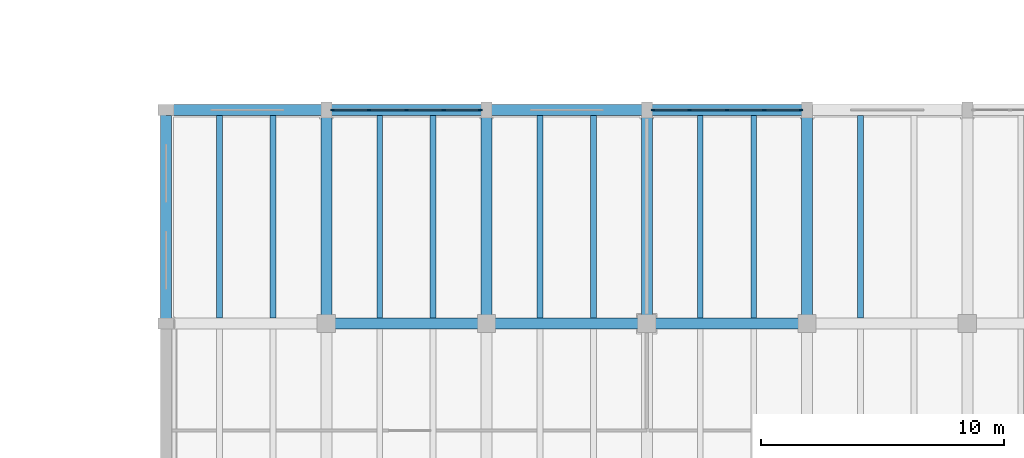
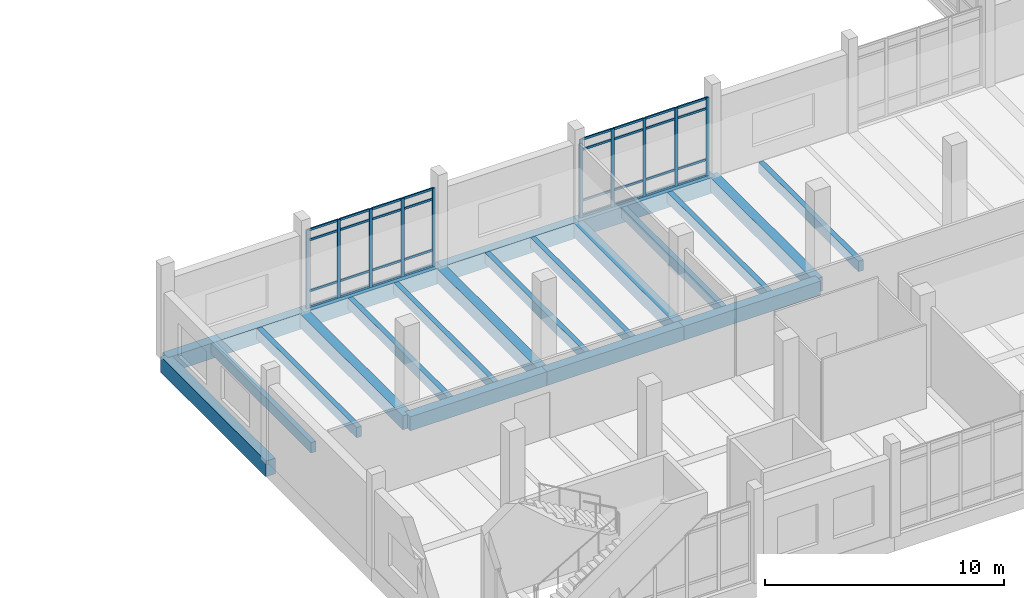
# One storey, part 23 of 125: 42 members, 21 beams, 2 elements without a shape of their own.
"""IFC4 building model written with IfcOpenShell, lengths in metres."""

from ifc_helpers import new_model, si_unit, direction, frame, origin, origin_2d, place, context, subcontext, project, spatial, rectangle, extrude, material, material_profile, profile_set, type_object, element, aggregate, save


model = new_model("IFC4")

# Units and contexts
model_context = context("Model", 3, precision=1e-05, world=origin(), true_north=direction((0.0, 1.0)))
body_context = subcontext(model_context, "Body", "Model", "MODEL_VIEW")
ifc_project = project(units=[si_unit("LENGTHUNIT", "METRE"), si_unit("AREAUNIT", "SQUARE_METRE"), si_unit("VOLUMEUNIT", "CUBIC_METRE"), si_unit("PLANEANGLEUNIT", "RADIAN"), si_unit("MASSUNIT", "GRAM", prefix="KILO")], contexts=[model_context])

# Site, building, storey
site_placement = place(None, origin())
site = spatial("IfcSite", under=ifc_project, at=site_placement, CompositionType="ELEMENT")
building_placement = place(site_placement, origin())
building = spatial("IfcBuilding", under=site, at=building_placement, Name="Dornvale Research Institute", CompositionType="ELEMENT")
storey_placement = place(building_placement, frame((0.0, 0.0, 5.39990234375)))
storey = spatial("IfcBuildingStorey", under=building, at=storey_placement, Name="L01", CompositionType="ELEMENT", Elevation=5.39990234375)

# Beams
ifc_material_1 = material(Name="Concrete f'c 45 MPa (C35/45)", Category="concrete")
ifc_material_profile_1 = material_profile(ifc_material_1, rectangle(XDim=0.449951171875, YDim=0.715087890625, at=origin_2d()), Name="RC 450x715")
ifc_profile_set_1 = profile_set([ifc_material_profile_1], Name="Concrete f'c 45 MPa (C35/45)")
beam_type_1 = type_object("IfcBeamType", Name="Beam_RC450x715_Lab", PredefinedType="BEAM", material=ifc_profile_set_1)
beam_1_placement = place(storey_placement, frame((105.60009765625, 17.60009765625, -0.357421875), z_axis=(1.0, 0.0, 0.0), x_axis=(0.0, 1.0, 0.0)))
element("IfcBeam", 1, at=beam_1_placement, inside=storey, type_object=beam_type_1, Name="L01 primary girder #442", PredefinedType="BEAM", context=body_context, shape_type="SweptSolid", body=[
    extrude(rectangle(XDim=0.449951171875, YDim=0.715087890625, at=origin_2d()), origin(), (0.0, 0.0, 1.0), 6.599853515625),
])
beam_2_placement = place(storey_placement, frame((112.199951171875, 17.60009765625, -0.357421875), z_axis=(1.0, 0.0, 0.0), x_axis=(0.0, 1.0, 0.0)))
element("IfcBeam", 2, at=beam_2_placement, inside=storey, type_object=beam_type_1, Name="L01 primary girder #443", PredefinedType="BEAM", context=body_context, shape_type="SweptSolid", body=[
    extrude(rectangle(XDim=0.449951171875, YDim=0.715087890625, at=origin_2d()), origin(), (0.0, 0.0, 1.0), 6.60009765625),
])
beam_3_placement = place(storey_placement, frame((118.800048828125, 17.60009765625, -0.357421875), z_axis=(1.0, 0.0, 0.0), x_axis=(0.0, 1.0, 0.0)))
element("IfcBeam", 3, at=beam_3_placement, inside=storey, type_object=beam_type_1, Name="L01 primary girder #444", PredefinedType="BEAM", context=body_context, shape_type="SweptSolid", body=[
    extrude(rectangle(XDim=0.449951171875, YDim=0.715087890625, at=origin_2d()), origin(), (0.0, 0.0, 1.0), 6.599853515625),
])
for number, where, z_axis, x_axis, name in (
    (4, (105.60009765625, 17.60009765625, -0.357421875), (0.0, 1.0, 0.0), (-1.0, 0.0, 0.0), "L01 transverse girder #469"),
    (5, (112.199951171875, 17.60009765625, -0.357421875), (0.0, 1.0, 0.0), (-1.0, 0.0, 0.0), "L01 transverse girder #472"),
    (6, (118.800048828125, 17.60009765625, -0.357421875), (0.0, 1.0, 0.0), (-1.0, 0.0, 0.0), "L01 transverse girder #475"),
    (7, (125.39990234375, 17.60009765625, -0.357421875), (0.0, 1.0, 0.0), (-1.0, 0.0, 0.0), "L01 transverse girder #478"),
):
    element("IfcBeam", number, at=place(storey_placement, frame(where, z_axis=z_axis, x_axis=x_axis)), inside=storey, type_object=beam_type_1, Name=name, PredefinedType="BEAM", context=body_context, shape_type="SweptSolid", body=[
        extrude(rectangle(XDim=0.449951171875, YDim=0.715087890625, at=origin_2d()), origin(), (0.0, 0.0, 1.0), 8.7998046875),
    ])
ifc_material_2 = material(Name="Concrete f'c 45 MPa (C35/45)", Category="concrete")
ifc_material_profile_2 = material_profile(ifc_material_2, rectangle(XDim=0.239990234375, YDim=0.534912109375, at=origin_2d()), Name="RC 240x535")
ifc_profile_set_2 = profile_set([ifc_material_profile_2], Name="Concrete f'c 45 MPa (C35/45)")
beam_type_2 = type_object("IfcBeamType", Name="Joist_RC240x535_Waffle", PredefinedType="JOIST", material=ifc_profile_set_2)
for number, where, z_axis, x_axis, name in (
    (8, (101.199951171875, 17.824951171875, -0.267333984375), (0.0, 1.0, 0.0), (-1.0, 0.0, 0.0), "L01 laboratory waffle joist #217"),
    (9, (103.39990234375, 17.824951171875, -0.267333984375), (0.0, 1.0, 0.0), (-1.0, 0.0, 0.0), "L01 laboratory waffle joist #218"),
    (10, (107.800048828125, 17.824951171875, -0.267333984375), (0.0, 1.0, 0.0), (-1.0, 0.0, 0.0), "L01 laboratory waffle joist #221"),
    (11, (110.0, 17.824951171875, -0.267333984375), (0.0, 1.0, 0.0), (-1.0, 0.0, 0.0), "L01 laboratory waffle joist #222"),
    (12, (114.39990234375, 17.824951171875, -0.267333984375), (0.0, 1.0, 0.0), (-1.0, 0.0, 0.0), "L01 laboratory waffle joist #225"),
    (13, (116.60009765625, 17.824951171875, -0.267333984375), (0.0, 1.0, 0.0), (-1.0, 0.0, 0.0), "L01 laboratory waffle joist #226"),
    (14, (121.0, 17.824951171875, -0.267333984375), (0.0, 1.0, 0.0), (-1.0, 0.0, 0.0), "L01 laboratory waffle joist #231"),
    (15, (123.199951171875, 17.824951171875, -0.267333984375), (0.0, 1.0, 0.0), (-1.0, 0.0, 0.0), "L01 laboratory waffle joist #232"),
    (16, (127.60009765625, 17.824951171875, -0.267333984375), (0.0, 1.0, 0.0), (-1.0, 0.0, 0.0), "L01 laboratory waffle joist #237"),
):
    element("IfcBeam", number, at=place(storey_placement, frame(where, z_axis=z_axis, x_axis=x_axis)), inside=storey, type_object=beam_type_2, Name=name, PredefinedType="JOIST", context=body_context, shape_type="SweptSolid", body=[
        extrude(rectangle(XDim=0.239990234375, YDim=0.534912109375, at=origin_2d()), origin(), (0.0, 0.0, 1.0), 8.35009765625),
    ])

# Curtain wall, members
ifc_material_3 = material(Name="Low-E Argon Double Insulating Glazing Unit", Category="glass")
curtain_wall_type = type_object("IfcCurtainWallType", Name="UnitisedCurtainWall_V3_6150x4000", PredefinedType="USERDEFINED", material=ifc_material_3)
curtain_wall_1_placement = place(storey_placement, origin())
curtain_wall_1 = element("IfcCurtainWall", 17, at=curtain_wall_1_placement, inside=storey, type_object=curtain_wall_type, Name="L01 V3 unitised curtain wall CW-06 #30", ObjectType="UNITISED CURTAIN WALL", PredefinedType="USERDEFINED")
ifc_material_4 = material(Name="Anodized Aluminum AA 6063-T6 Thermally Broken Frame", Category="aluminium")
ifc_material_profile_3 = material_profile(ifc_material_4, rectangle(XDim=0.06494140625, YDim=0.14990234375, at=origin_2d()), Name="ALU MULLION 65x150")
ifc_profile_set_3 = profile_set([ifc_material_profile_3], Name="Anodized Aluminum AA 6063-T6 Thermally Broken Frame")
member_type_1 = type_object("IfcMemberType", Name="Mullion_CW_65x150", PredefinedType="MULLION", material=ifc_profile_set_3)
member_1_placement = place(storey_placement, frame((105.857421875, 26.39990234375, 0.0), z_axis=(0.0, 0.0, 1.0), x_axis=(0.0, 1.0, 0.0)))
member_1 = element("IfcMember", 18, at=member_1_placement, type_object=member_type_1, Name="CW-06 mullion 1", PredefinedType="MULLION", context=body_context, shape_type="SweptSolid", body=[
    extrude(rectangle(XDim=0.06494140625, YDim=0.14990234375, at=origin_2d()), origin(), (0.0, 0.0, 1.0), 4.0),
])
member_2_placement = place(storey_placement, frame((107.362548828125, 26.39990234375, 0.0), z_axis=(0.0, 0.0, 1.0), x_axis=(0.0, 1.0, 0.0)))
member_2 = element("IfcMember", 19, at=member_2_placement, type_object=member_type_1, Name="CW-06 mullion 2", PredefinedType="MULLION", context=body_context, shape_type="SweptSolid", body=[
    extrude(rectangle(XDim=0.06494140625, YDim=0.14990234375, at=origin_2d()), origin(), (0.0, 0.0, 1.0), 4.0),
])
member_3_placement = place(storey_placement, frame((108.89990234375, 26.39990234375, 0.0), z_axis=(0.0, 0.0, 1.0), x_axis=(0.0, 1.0, 0.0)))
member_3 = element("IfcMember", 20, at=member_3_placement, type_object=member_type_1, Name="CW-06 mullion 3", PredefinedType="MULLION", context=body_context, shape_type="SweptSolid", body=[
    extrude(rectangle(XDim=0.06494140625, YDim=0.14990234375, at=origin_2d()), origin(), (0.0, 0.0, 1.0), 4.0),
])
member_4_placement = place(storey_placement, frame((110.4375, 26.39990234375, 0.0), z_axis=(0.0, 0.0, 1.0), x_axis=(0.0, 1.0, 0.0)))
member_4 = element("IfcMember", 21, at=member_4_placement, type_object=member_type_1, Name="CW-06 mullion 4", PredefinedType="MULLION", context=body_context, shape_type="SweptSolid", body=[
    extrude(rectangle(XDim=0.06494140625, YDim=0.14990234375, at=origin_2d()), origin(), (0.0, 0.0, 1.0), 4.0),
])
member_5_placement = place(storey_placement, frame((111.9423828125, 26.39990234375, 0.0), z_axis=(0.0, 0.0, 1.0), x_axis=(0.0, 1.0, 0.0)))
member_5 = element("IfcMember", 22, at=member_5_placement, type_object=member_type_1, Name="CW-06 mullion 5", PredefinedType="MULLION", context=body_context, shape_type="SweptSolid", body=[
    extrude(rectangle(XDim=0.06494140625, YDim=0.14990234375, at=origin_2d()), origin(), (0.0, 0.0, 1.0), 4.0),
])

curtain_wall_2_placement = place(storey_placement, origin())
curtain_wall_2 = element("IfcCurtainWall", 23, at=curtain_wall_2_placement, inside=storey, type_object=curtain_wall_type, Name="L01 V3 unitised curtain wall CW-06 #31", ObjectType="UNITISED CURTAIN WALL", PredefinedType="USERDEFINED")
member_6_placement = place(storey_placement, frame((119.0576171875, 26.39990234375, 0.0), z_axis=(0.0, 0.0, 1.0), x_axis=(0.0, 1.0, 0.0)))
member_6 = element("IfcMember", 24, at=member_6_placement, type_object=member_type_1, Name="CW-06 mullion 1", PredefinedType="MULLION", context=body_context, shape_type="SweptSolid", body=[
    extrude(rectangle(XDim=0.06494140625, YDim=0.14990234375, at=origin_2d()), origin(), (0.0, 0.0, 1.0), 4.0),
])
member_7_placement = place(storey_placement, frame((120.5625, 26.39990234375, 0.0), z_axis=(0.0, 0.0, 1.0), x_axis=(0.0, 1.0, 0.0)))
member_7 = element("IfcMember", 25, at=member_7_placement, type_object=member_type_1, Name="CW-06 mullion 2", PredefinedType="MULLION", context=body_context, shape_type="SweptSolid", body=[
    extrude(rectangle(XDim=0.06494140625, YDim=0.14990234375, at=origin_2d()), origin(), (0.0, 0.0, 1.0), 4.0),
])
member_8_placement = place(storey_placement, frame((122.10009765625, 26.39990234375, 0.0), z_axis=(0.0, 0.0, 1.0), x_axis=(0.0, 1.0, 0.0)))
member_8 = element("IfcMember", 26, at=member_8_placement, type_object=member_type_1, Name="CW-06 mullion 3", PredefinedType="MULLION", context=body_context, shape_type="SweptSolid", body=[
    extrude(rectangle(XDim=0.06494140625, YDim=0.14990234375, at=origin_2d()), origin(), (0.0, 0.0, 1.0), 4.0),
])
member_9_placement = place(storey_placement, frame((123.637451171875, 26.39990234375, 0.0), z_axis=(0.0, 0.0, 1.0), x_axis=(0.0, 1.0, 0.0)))
member_9 = element("IfcMember", 27, at=member_9_placement, type_object=member_type_1, Name="CW-06 mullion 4", PredefinedType="MULLION", context=body_context, shape_type="SweptSolid", body=[
    extrude(rectangle(XDim=0.06494140625, YDim=0.14990234375, at=origin_2d()), origin(), (0.0, 0.0, 1.0), 4.0),
])
member_10_placement = place(storey_placement, frame((125.142578125, 26.39990234375, 0.0), z_axis=(0.0, 0.0, 1.0), x_axis=(0.0, 1.0, 0.0)))
member_10 = element("IfcMember", 28, at=member_10_placement, type_object=member_type_1, Name="CW-06 mullion 5", PredefinedType="MULLION", context=body_context, shape_type="SweptSolid", body=[
    extrude(rectangle(XDim=0.06494140625, YDim=0.14990234375, at=origin_2d()), origin(), (0.0, 0.0, 1.0), 4.0),
])

# Beams
ifc_material_5 = material(Name="Concrete f'c 45 MPa (C35/45)", Category="concrete")
ifc_material_profile_4 = material_profile(ifc_material_5, rectangle(XDim=0.449951171875, YDim=0.800048828125, at=origin_2d()), Name="RC 450x800")
ifc_profile_set_4 = profile_set([ifc_material_profile_4], Name="Concrete f'c 45 MPa (C35/45)")
beam_type_3 = type_object("IfcBeamType", Name="Spandrel_RC450x800_Ext", PredefinedType="SPANDREL", material=ifc_profile_set_4)
beam_4_placement = place(storey_placement, frame((99.0, 26.39990234375, -0.39990234375), z_axis=(1.0, 0.0, 0.0), x_axis=(0.0, 1.0, 0.0)))
element("IfcBeam", 29, at=beam_4_placement, inside=storey, type_object=beam_type_3, Name="L01 perimeter spandrel #453", PredefinedType="SPANDREL", context=body_context, shape_type="SweptSolid", body=[
    extrude(rectangle(XDim=0.449951171875, YDim=0.800048828125, at=origin_2d()), origin(), (0.0, 0.0, 1.0), 6.60009765625),
])
beam_5_placement = place(storey_placement, frame((105.60009765625, 26.39990234375, -0.39990234375), z_axis=(1.0, 0.0, 0.0), x_axis=(0.0, 1.0, 0.0)))
element("IfcBeam", 30, at=beam_5_placement, inside=storey, type_object=beam_type_3, Name="L01 perimeter spandrel #454", PredefinedType="SPANDREL", context=body_context, shape_type="SweptSolid", body=[
    extrude(rectangle(XDim=0.449951171875, YDim=0.800048828125, at=origin_2d()), origin(), (0.0, 0.0, 1.0), 6.599853515625),
])
beam_6_placement = place(storey_placement, frame((112.199951171875, 26.39990234375, -0.39990234375), z_axis=(1.0, 0.0, 0.0), x_axis=(0.0, 1.0, 0.0)))
element("IfcBeam", 31, at=beam_6_placement, inside=storey, type_object=beam_type_3, Name="L01 perimeter spandrel #455", PredefinedType="SPANDREL", context=body_context, shape_type="SweptSolid", body=[
    extrude(rectangle(XDim=0.449951171875, YDim=0.800048828125, at=origin_2d()), origin(), (0.0, 0.0, 1.0), 6.60009765625),
])
beam_7_placement = place(storey_placement, frame((118.800048828125, 26.39990234375, -0.39990234375), z_axis=(1.0, 0.0, 0.0), x_axis=(0.0, 1.0, 0.0)))
element("IfcBeam", 32, at=beam_7_placement, inside=storey, type_object=beam_type_3, Name="L01 perimeter spandrel #456", PredefinedType="SPANDREL", context=body_context, shape_type="SweptSolid", body=[
    extrude(rectangle(XDim=0.449951171875, YDim=0.800048828125, at=origin_2d()), origin(), (0.0, 0.0, 1.0), 6.599853515625),
])
beam_8_placement = place(storey_placement, frame((99.0, 17.60009765625, -0.39990234375), z_axis=(0.0, 1.0, 0.0), x_axis=(-1.0, 0.0, 0.0)))
element("IfcBeam", 33, at=beam_8_placement, inside=storey, type_object=beam_type_3, Name="L01 perimeter spandrel #467", PredefinedType="SPANDREL", context=body_context, shape_type="SweptSolid", body=[
    extrude(rectangle(XDim=0.449951171875, YDim=0.800048828125, at=origin_2d()), origin(), (0.0, 0.0, 1.0), 8.7998046875),
])

# Member
ifc_material_6 = material(Name="Anodized Aluminum AA 6063-T6 Thermally Broken Frame", Category="aluminium")
ifc_material_profile_5 = material_profile(ifc_material_6, rectangle(XDim=0.06494140625, YDim=0.110107421875, at=origin_2d()), Name="ALU TRANSOM 65x110")
ifc_profile_set_5 = profile_set([ifc_material_profile_5], Name="Anodized Aluminum AA 6063-T6 Thermally Broken Frame")
member_type_2 = type_object("IfcMemberType", Name="Transom_CW_65x110", PredefinedType="USERDEFINED", material=ifc_profile_set_5)
member_11_placement = place(storey_placement, frame((105.889892578125, 26.39990234375, 0.03271484375), z_axis=(1.0, 0.0, 0.0), x_axis=(0.0, 1.0, 0.0)))
member_11 = element("IfcMember", 34, at=member_11_placement, type_object=member_type_2, Name="CW-06 transom 1.1", ObjectType="TRANSOM", PredefinedType="USERDEFINED", context=body_context, shape_type="SweptSolid", body=[
    extrude(rectangle(XDim=0.06494140625, YDim=0.110107421875, at=origin_2d()), origin(), (0.0, 0.0, 1.0), 1.440185546875),
])

member_12_placement = place(storey_placement, frame((105.889892578125, 26.39990234375, 0.85009765625), z_axis=(1.0, 0.0, 0.0), x_axis=(0.0, 1.0, 0.0)))
member_12 = element("IfcMember", 35, at=member_12_placement, type_object=member_type_2, Name="CW-06 transom 1.2", ObjectType="TRANSOM", PredefinedType="USERDEFINED", context=body_context, shape_type="SweptSolid", body=[
    extrude(rectangle(XDim=0.06494140625, YDim=0.110107421875, at=origin_2d()), origin(), (0.0, 0.0, 1.0), 1.440185546875),
])

member_13_placement = place(storey_placement, frame((105.889892578125, 26.39990234375, 3.4501953125), z_axis=(1.0, 0.0, 0.0), x_axis=(0.0, 1.0, 0.0)))
member_13 = element("IfcMember", 36, at=member_13_placement, type_object=member_type_2, Name="CW-06 transom 1.3", ObjectType="TRANSOM", PredefinedType="USERDEFINED", context=body_context, shape_type="SweptSolid", body=[
    extrude(rectangle(XDim=0.06494140625, YDim=0.110107421875, at=origin_2d()), origin(), (0.0, 0.0, 1.0), 1.440185546875),
])

member_14_placement = place(storey_placement, frame((105.889892578125, 26.39990234375, 3.967529296875), z_axis=(1.0, 0.0, 0.0), x_axis=(0.0, 1.0, 0.0)))
member_14 = element("IfcMember", 37, at=member_14_placement, type_object=member_type_2, Name="CW-06 transom 1.4", ObjectType="TRANSOM", PredefinedType="USERDEFINED", context=body_context, shape_type="SweptSolid", body=[
    extrude(rectangle(XDim=0.06494140625, YDim=0.110107421875, at=origin_2d()), origin(), (0.0, 0.0, 1.0), 1.440185546875),
])

member_15_placement = place(storey_placement, frame((107.39501953125, 26.39990234375, 0.03271484375), z_axis=(1.0, 0.0, 0.0), x_axis=(0.0, 1.0, 0.0)))
member_15 = element("IfcMember", 38, at=member_15_placement, type_object=member_type_2, Name="CW-06 transom 2.1", ObjectType="TRANSOM", PredefinedType="USERDEFINED", context=body_context, shape_type="SweptSolid", body=[
    extrude(rectangle(XDim=0.06494140625, YDim=0.110107421875, at=origin_2d()), origin(), (0.0, 0.0, 1.0), 1.472412109375),
])

member_16_placement = place(storey_placement, frame((107.39501953125, 26.39990234375, 0.85009765625), z_axis=(1.0, 0.0, 0.0), x_axis=(0.0, 1.0, 0.0)))
member_16 = element("IfcMember", 39, at=member_16_placement, type_object=member_type_2, Name="CW-06 transom 2.2", ObjectType="TRANSOM", PredefinedType="USERDEFINED", context=body_context, shape_type="SweptSolid", body=[
    extrude(rectangle(XDim=0.06494140625, YDim=0.110107421875, at=origin_2d()), origin(), (0.0, 0.0, 1.0), 1.472412109375),
])

member_17_placement = place(storey_placement, frame((107.39501953125, 26.39990234375, 3.4501953125), z_axis=(1.0, 0.0, 0.0), x_axis=(0.0, 1.0, 0.0)))
member_17 = element("IfcMember", 40, at=member_17_placement, type_object=member_type_2, Name="CW-06 transom 2.3", ObjectType="TRANSOM", PredefinedType="USERDEFINED", context=body_context, shape_type="SweptSolid", body=[
    extrude(rectangle(XDim=0.06494140625, YDim=0.110107421875, at=origin_2d()), origin(), (0.0, 0.0, 1.0), 1.472412109375),
])

member_18_placement = place(storey_placement, frame((107.39501953125, 26.39990234375, 3.967529296875), z_axis=(1.0, 0.0, 0.0), x_axis=(0.0, 1.0, 0.0)))
member_18 = element("IfcMember", 41, at=member_18_placement, type_object=member_type_2, Name="CW-06 transom 2.4", ObjectType="TRANSOM", PredefinedType="USERDEFINED", context=body_context, shape_type="SweptSolid", body=[
    extrude(rectangle(XDim=0.06494140625, YDim=0.110107421875, at=origin_2d()), origin(), (0.0, 0.0, 1.0), 1.472412109375),
])

member_19_placement = place(storey_placement, frame((108.9326171875, 26.39990234375, 0.03271484375), z_axis=(1.0, 0.0, 0.0), x_axis=(0.0, 1.0, 0.0)))
member_19 = element("IfcMember", 42, at=member_19_placement, type_object=member_type_2, Name="CW-06 transom 3.1", ObjectType="TRANSOM", PredefinedType="USERDEFINED", context=body_context, shape_type="SweptSolid", body=[
    extrude(rectangle(XDim=0.06494140625, YDim=0.110107421875, at=origin_2d()), origin(), (0.0, 0.0, 1.0), 1.472412109375),
])

member_20_placement = place(storey_placement, frame((108.9326171875, 26.39990234375, 0.85009765625), z_axis=(1.0, 0.0, 0.0), x_axis=(0.0, 1.0, 0.0)))
member_20 = element("IfcMember", 43, at=member_20_placement, type_object=member_type_2, Name="CW-06 transom 3.2", ObjectType="TRANSOM", PredefinedType="USERDEFINED", context=body_context, shape_type="SweptSolid", body=[
    extrude(rectangle(XDim=0.06494140625, YDim=0.110107421875, at=origin_2d()), origin(), (0.0, 0.0, 1.0), 1.472412109375),
])

member_21_placement = place(storey_placement, frame((108.9326171875, 26.39990234375, 3.4501953125), z_axis=(1.0, 0.0, 0.0), x_axis=(0.0, 1.0, 0.0)))
member_21 = element("IfcMember", 44, at=member_21_placement, type_object=member_type_2, Name="CW-06 transom 3.3", ObjectType="TRANSOM", PredefinedType="USERDEFINED", context=body_context, shape_type="SweptSolid", body=[
    extrude(rectangle(XDim=0.06494140625, YDim=0.110107421875, at=origin_2d()), origin(), (0.0, 0.0, 1.0), 1.472412109375),
])

member_22_placement = place(storey_placement, frame((108.9326171875, 26.39990234375, 3.967529296875), z_axis=(1.0, 0.0, 0.0), x_axis=(0.0, 1.0, 0.0)))
member_22 = element("IfcMember", 45, at=member_22_placement, type_object=member_type_2, Name="CW-06 transom 3.4", ObjectType="TRANSOM", PredefinedType="USERDEFINED", context=body_context, shape_type="SweptSolid", body=[
    extrude(rectangle(XDim=0.06494140625, YDim=0.110107421875, at=origin_2d()), origin(), (0.0, 0.0, 1.0), 1.472412109375),
])

member_23_placement = place(storey_placement, frame((110.469970703125, 26.39990234375, 0.03271484375), z_axis=(1.0, 0.0, 0.0), x_axis=(0.0, 1.0, 0.0)))
member_23 = element("IfcMember", 46, at=member_23_placement, type_object=member_type_2, Name="CW-06 transom 4.1", ObjectType="TRANSOM", PredefinedType="USERDEFINED", context=body_context, shape_type="SweptSolid", body=[
    extrude(rectangle(XDim=0.06494140625, YDim=0.110107421875, at=origin_2d()), origin(), (0.0, 0.0, 1.0), 1.43994140625),
])

member_24_placement = place(storey_placement, frame((110.469970703125, 26.39990234375, 0.85009765625), z_axis=(1.0, 0.0, 0.0), x_axis=(0.0, 1.0, 0.0)))
member_24 = element("IfcMember", 47, at=member_24_placement, type_object=member_type_2, Name="CW-06 transom 4.2", ObjectType="TRANSOM", PredefinedType="USERDEFINED", context=body_context, shape_type="SweptSolid", body=[
    extrude(rectangle(XDim=0.06494140625, YDim=0.110107421875, at=origin_2d()), origin(), (0.0, 0.0, 1.0), 1.43994140625),
])

member_25_placement = place(storey_placement, frame((110.469970703125, 26.39990234375, 3.4501953125), z_axis=(1.0, 0.0, 0.0), x_axis=(0.0, 1.0, 0.0)))
member_25 = element("IfcMember", 48, at=member_25_placement, type_object=member_type_2, Name="CW-06 transom 4.3", ObjectType="TRANSOM", PredefinedType="USERDEFINED", context=body_context, shape_type="SweptSolid", body=[
    extrude(rectangle(XDim=0.06494140625, YDim=0.110107421875, at=origin_2d()), origin(), (0.0, 0.0, 1.0), 1.43994140625),
])

member_26_placement = place(storey_placement, frame((110.469970703125, 26.39990234375, 3.967529296875), z_axis=(1.0, 0.0, 0.0), x_axis=(0.0, 1.0, 0.0)))
member_26 = element("IfcMember", 49, at=member_26_placement, type_object=member_type_2, Name="CW-06 transom 4.4", ObjectType="TRANSOM", PredefinedType="USERDEFINED", context=body_context, shape_type="SweptSolid", body=[
    extrude(rectangle(XDim=0.06494140625, YDim=0.110107421875, at=origin_2d()), origin(), (0.0, 0.0, 1.0), 1.43994140625),
])

aggregate(curtain_wall_1, [member_1, member_2, member_3, member_4, member_5, member_11, member_12, member_13, member_14, member_15, member_16, member_17, member_18, member_19, member_20, member_21, member_22, member_23, member_24, member_25, member_26])

member_27_placement = place(storey_placement, frame((119.090087890625, 26.39990234375, 0.03271484375), z_axis=(1.0, 0.0, 0.0), x_axis=(0.0, 1.0, 0.0)))
member_27 = element("IfcMember", 50, at=member_27_placement, type_object=member_type_2, Name="CW-06 transom 1.1", ObjectType="TRANSOM", PredefinedType="USERDEFINED", context=body_context, shape_type="SweptSolid", body=[
    extrude(rectangle(XDim=0.06494140625, YDim=0.110107421875, at=origin_2d()), origin(), (0.0, 0.0, 1.0), 1.43994140625),
])

member_28_placement = place(storey_placement, frame((119.090087890625, 26.39990234375, 0.85009765625), z_axis=(1.0, 0.0, 0.0), x_axis=(0.0, 1.0, 0.0)))
member_28 = element("IfcMember", 51, at=member_28_placement, type_object=member_type_2, Name="CW-06 transom 1.2", ObjectType="TRANSOM", PredefinedType="USERDEFINED", context=body_context, shape_type="SweptSolid", body=[
    extrude(rectangle(XDim=0.06494140625, YDim=0.110107421875, at=origin_2d()), origin(), (0.0, 0.0, 1.0), 1.43994140625),
])

member_29_placement = place(storey_placement, frame((119.090087890625, 26.39990234375, 3.4501953125), z_axis=(1.0, 0.0, 0.0), x_axis=(0.0, 1.0, 0.0)))
member_29 = element("IfcMember", 52, at=member_29_placement, type_object=member_type_2, Name="CW-06 transom 1.3", ObjectType="TRANSOM", PredefinedType="USERDEFINED", context=body_context, shape_type="SweptSolid", body=[
    extrude(rectangle(XDim=0.06494140625, YDim=0.110107421875, at=origin_2d()), origin(), (0.0, 0.0, 1.0), 1.43994140625),
])

member_30_placement = place(storey_placement, frame((119.090087890625, 26.39990234375, 3.967529296875), z_axis=(1.0, 0.0, 0.0), x_axis=(0.0, 1.0, 0.0)))
member_30 = element("IfcMember", 53, at=member_30_placement, type_object=member_type_2, Name="CW-06 transom 1.4", ObjectType="TRANSOM", PredefinedType="USERDEFINED", context=body_context, shape_type="SweptSolid", body=[
    extrude(rectangle(XDim=0.06494140625, YDim=0.110107421875, at=origin_2d()), origin(), (0.0, 0.0, 1.0), 1.43994140625),
])

member_31_placement = place(storey_placement, frame((120.594970703125, 26.39990234375, 0.03271484375), z_axis=(1.0, 0.0, 0.0), x_axis=(0.0, 1.0, 0.0)))
member_31 = element("IfcMember", 54, at=member_31_placement, type_object=member_type_2, Name="CW-06 transom 2.1", ObjectType="TRANSOM", PredefinedType="USERDEFINED", context=body_context, shape_type="SweptSolid", body=[
    extrude(rectangle(XDim=0.06494140625, YDim=0.110107421875, at=origin_2d()), origin(), (0.0, 0.0, 1.0), 1.472412109375),
])

member_32_placement = place(storey_placement, frame((120.594970703125, 26.39990234375, 0.85009765625), z_axis=(1.0, 0.0, 0.0), x_axis=(0.0, 1.0, 0.0)))
member_32 = element("IfcMember", 55, at=member_32_placement, type_object=member_type_2, Name="CW-06 transom 2.2", ObjectType="TRANSOM", PredefinedType="USERDEFINED", context=body_context, shape_type="SweptSolid", body=[
    extrude(rectangle(XDim=0.06494140625, YDim=0.110107421875, at=origin_2d()), origin(), (0.0, 0.0, 1.0), 1.472412109375),
])

member_33_placement = place(storey_placement, frame((120.594970703125, 26.39990234375, 3.4501953125), z_axis=(1.0, 0.0, 0.0), x_axis=(0.0, 1.0, 0.0)))
member_33 = element("IfcMember", 56, at=member_33_placement, type_object=member_type_2, Name="CW-06 transom 2.3", ObjectType="TRANSOM", PredefinedType="USERDEFINED", context=body_context, shape_type="SweptSolid", body=[
    extrude(rectangle(XDim=0.06494140625, YDim=0.110107421875, at=origin_2d()), origin(), (0.0, 0.0, 1.0), 1.472412109375),
])

member_34_placement = place(storey_placement, frame((120.594970703125, 26.39990234375, 3.967529296875), z_axis=(1.0, 0.0, 0.0), x_axis=(0.0, 1.0, 0.0)))
member_34 = element("IfcMember", 57, at=member_34_placement, type_object=member_type_2, Name="CW-06 transom 2.4", ObjectType="TRANSOM", PredefinedType="USERDEFINED", context=body_context, shape_type="SweptSolid", body=[
    extrude(rectangle(XDim=0.06494140625, YDim=0.110107421875, at=origin_2d()), origin(), (0.0, 0.0, 1.0), 1.472412109375),
])

member_35_placement = place(storey_placement, frame((122.132568359375, 26.39990234375, 0.03271484375), z_axis=(1.0, 0.0, 0.0), x_axis=(0.0, 1.0, 0.0)))
member_35 = element("IfcMember", 58, at=member_35_placement, type_object=member_type_2, Name="CW-06 transom 3.1", ObjectType="TRANSOM", PredefinedType="USERDEFINED", context=body_context, shape_type="SweptSolid", body=[
    extrude(rectangle(XDim=0.06494140625, YDim=0.110107421875, at=origin_2d()), origin(), (0.0, 0.0, 1.0), 1.472412109375),
])

member_36_placement = place(storey_placement, frame((122.132568359375, 26.39990234375, 0.85009765625), z_axis=(1.0, 0.0, 0.0), x_axis=(0.0, 1.0, 0.0)))
member_36 = element("IfcMember", 59, at=member_36_placement, type_object=member_type_2, Name="CW-06 transom 3.2", ObjectType="TRANSOM", PredefinedType="USERDEFINED", context=body_context, shape_type="SweptSolid", body=[
    extrude(rectangle(XDim=0.06494140625, YDim=0.110107421875, at=origin_2d()), origin(), (0.0, 0.0, 1.0), 1.472412109375),
])

member_37_placement = place(storey_placement, frame((122.132568359375, 26.39990234375, 3.4501953125), z_axis=(1.0, 0.0, 0.0), x_axis=(0.0, 1.0, 0.0)))
member_37 = element("IfcMember", 60, at=member_37_placement, type_object=member_type_2, Name="CW-06 transom 3.3", ObjectType="TRANSOM", PredefinedType="USERDEFINED", context=body_context, shape_type="SweptSolid", body=[
    extrude(rectangle(XDim=0.06494140625, YDim=0.110107421875, at=origin_2d()), origin(), (0.0, 0.0, 1.0), 1.472412109375),
])

member_38_placement = place(storey_placement, frame((122.132568359375, 26.39990234375, 3.967529296875), z_axis=(1.0, 0.0, 0.0), x_axis=(0.0, 1.0, 0.0)))
member_38 = element("IfcMember", 61, at=member_38_placement, type_object=member_type_2, Name="CW-06 transom 3.4", ObjectType="TRANSOM", PredefinedType="USERDEFINED", context=body_context, shape_type="SweptSolid", body=[
    extrude(rectangle(XDim=0.06494140625, YDim=0.110107421875, at=origin_2d()), origin(), (0.0, 0.0, 1.0), 1.472412109375),
])

member_39_placement = place(storey_placement, frame((123.669921875, 26.39990234375, 0.03271484375), z_axis=(1.0, 0.0, 0.0), x_axis=(0.0, 1.0, 0.0)))
member_39 = element("IfcMember", 62, at=member_39_placement, type_object=member_type_2, Name="CW-06 transom 4.1", ObjectType="TRANSOM", PredefinedType="USERDEFINED", context=body_context, shape_type="SweptSolid", body=[
    extrude(rectangle(XDim=0.06494140625, YDim=0.110107421875, at=origin_2d()), origin(), (0.0, 0.0, 1.0), 1.440185546875),
])

member_40_placement = place(storey_placement, frame((123.669921875, 26.39990234375, 0.85009765625), z_axis=(1.0, 0.0, 0.0), x_axis=(0.0, 1.0, 0.0)))
member_40 = element("IfcMember", 63, at=member_40_placement, type_object=member_type_2, Name="CW-06 transom 4.2", ObjectType="TRANSOM", PredefinedType="USERDEFINED", context=body_context, shape_type="SweptSolid", body=[
    extrude(rectangle(XDim=0.06494140625, YDim=0.110107421875, at=origin_2d()), origin(), (0.0, 0.0, 1.0), 1.440185546875),
])

member_41_placement = place(storey_placement, frame((123.669921875, 26.39990234375, 3.4501953125), z_axis=(1.0, 0.0, 0.0), x_axis=(0.0, 1.0, 0.0)))
member_41 = element("IfcMember", 64, at=member_41_placement, type_object=member_type_2, Name="CW-06 transom 4.3", ObjectType="TRANSOM", PredefinedType="USERDEFINED", context=body_context, shape_type="SweptSolid", body=[
    extrude(rectangle(XDim=0.06494140625, YDim=0.110107421875, at=origin_2d()), origin(), (0.0, 0.0, 1.0), 1.440185546875),
])

member_42_placement = place(storey_placement, frame((123.669921875, 26.39990234375, 3.967529296875), z_axis=(1.0, 0.0, 0.0), x_axis=(0.0, 1.0, 0.0)))
member_42 = element("IfcMember", 65, at=member_42_placement, type_object=member_type_2, Name="CW-06 transom 4.4", ObjectType="TRANSOM", PredefinedType="USERDEFINED", context=body_context, shape_type="SweptSolid", body=[
    extrude(rectangle(XDim=0.06494140625, YDim=0.110107421875, at=origin_2d()), origin(), (0.0, 0.0, 1.0), 1.440185546875),
])

aggregate(curtain_wall_2, [member_6, member_7, member_8, member_9, member_10, member_27, member_28, member_29, member_30, member_31, member_32, member_33, member_34, member_35, member_36, member_37, member_38, member_39, member_40, member_41, member_42])

save(model, "model.ifc")
